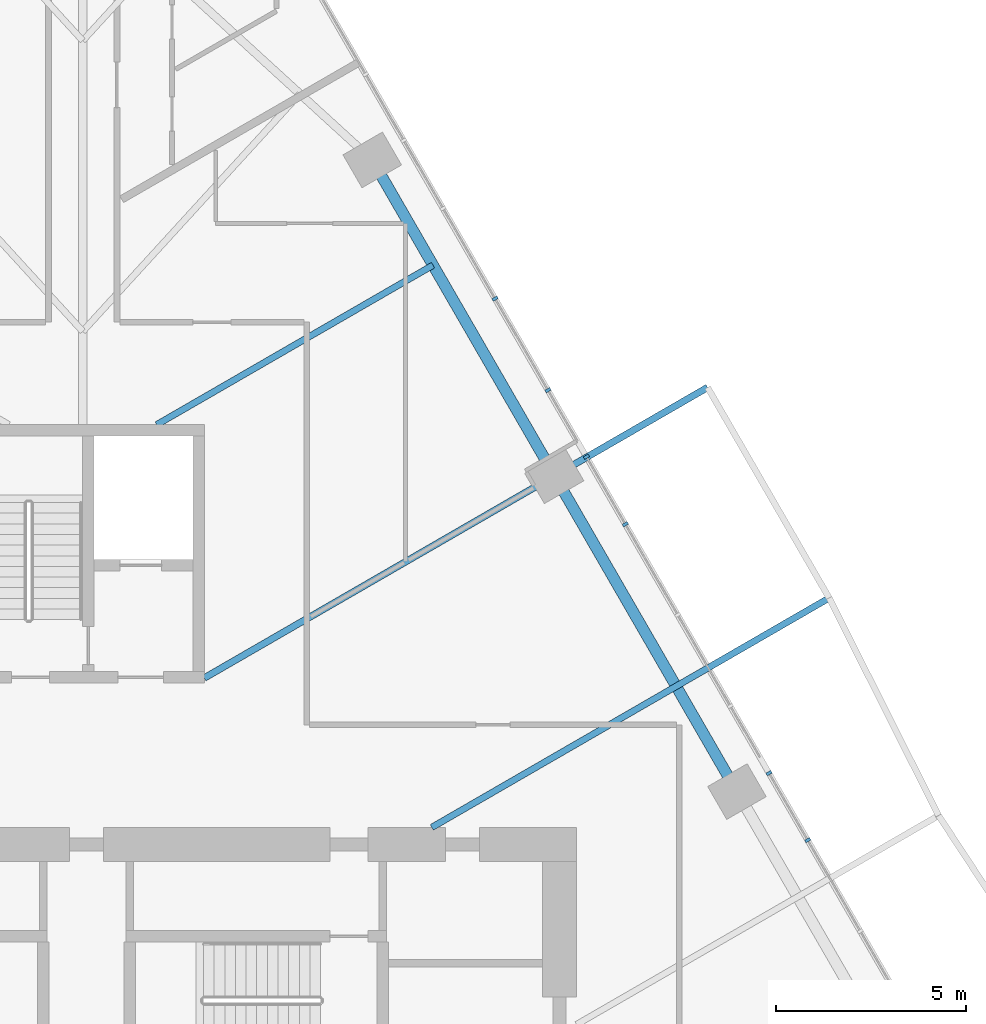
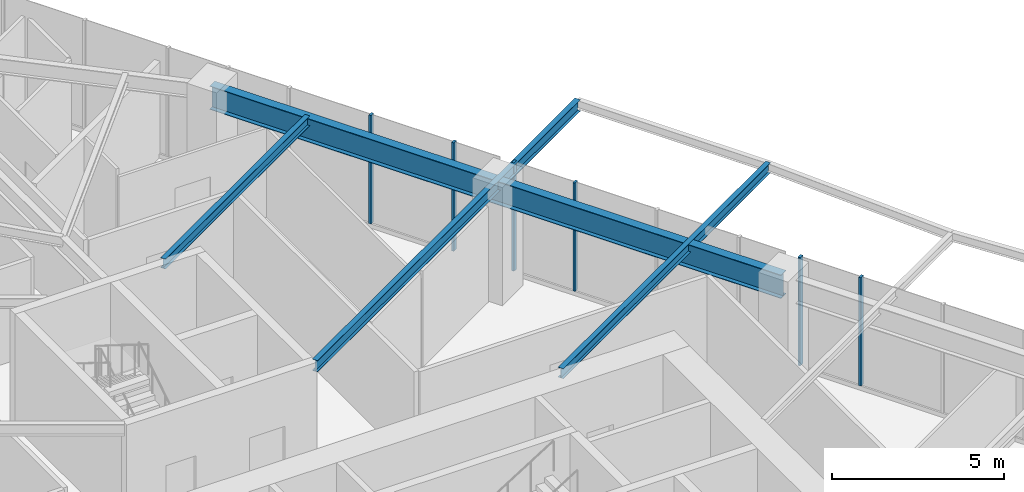
# One storey, part 11 of 29: 6 members, 4 beams, 1 element without a shape of its own.
"""IFC4 building model written with IfcOpenShell, lengths in metres."""

from ifc_helpers import new_model, si_unit, direction, frame, origin, origin_2d, place, context, subcontext, project, spatial, rectangle, i_section, extrude, material, layer, layer_set, material_profile, profile_set, type_object, element, aggregate, save


model = new_model("IFC4")

# Units and contexts
model_context = context("Model", 3, precision=1e-05, world=origin(), true_north=direction((0.0, 1.0)))
body_context = subcontext(model_context, "Body", "Model", "MODEL_VIEW")
ifc_project = project(units=[si_unit("LENGTHUNIT", "METRE"), si_unit("AREAUNIT", "SQUARE_METRE"), si_unit("VOLUMEUNIT", "CUBIC_METRE"), si_unit("PLANEANGLEUNIT", "RADIAN"), si_unit("MASSUNIT", "GRAM", prefix="KILO")], contexts=[model_context])

# Site, building, storey
site_placement = place(None, origin())
site = spatial("IfcSite", under=ifc_project, at=site_placement, CompositionType="ELEMENT")
building_placement = place(site_placement, origin())
building = spatial("IfcBuilding", under=site, at=building_placement, Name="Firuza Gate Tower and Library", CompositionType="ELEMENT")
storey_placement = place(building_placement, frame((0.0, 0.0, 44.199951171875)))
storey = spatial("IfcBuildingStorey", under=building, at=storey_placement, Name="L09", CompositionType="ELEMENT", Elevation=44.199951171875)

# Curtain wall, members
ifc_material_1 = material(Name="Aluminium 6063-T6", Category="aluminium")
ifc_layer = layer(ifc_material_1, 0.14990234375)
ifc_layer_set = layer_set([ifc_layer], Name="Unitised curtain wall, offices")
curtain_wall_type = type_object("IfcCurtainWallType", Name="Unitised curtain wall, offices", PredefinedType="NOTDEFINED", material=ifc_layer_set)
curtain_wall_placement = place(storey_placement, origin())
curtain_wall = element("IfcCurtainWall", 1, at=curtain_wall_placement, inside=storey, type_object=curtain_wall_type, Name="CW1 L09 E face", PredefinedType="NOTDEFINED")
ifc_material_2 = material(Name="Aluminium 6063-T6", Category="aluminium")
ifc_material_profile_1 = material_profile(ifc_material_2, rectangle(XDim=0.14990234375, YDim=0.080078125, at=origin_2d()))
ifc_profile_set_1 = profile_set([ifc_material_profile_1], Name="Aluminium 6063-T6")
member_type = type_object("IfcMemberType", Name="Curtain wall mullion 80x150", PredefinedType="MULLION", material=ifc_profile_set_1)
member_1_placement = place(storey_placement, frame((93.06494140625, 85.4296875, 0.150146484375), z_axis=(0.0, 0.0, 1.0), x_axis=(-0.866025403784, -0.5, 0.0)))
member_1 = element("IfcMember", 2, at=member_1_placement, type_object=member_type, Name="Mullion", PredefinedType="MULLION", context=body_context, shape_type="SweptSolid", body=[
    extrude(rectangle(XDim=0.14990234375, YDim=0.080078125, at=origin_2d()), origin(), (0.0, 0.0, 1.0), 3.849853515625),
])
member_2_placement = place(storey_placement, frame((88.2578125, 93.756103515625, 0.150146484375), z_axis=(0.0, 0.0, 1.0), x_axis=(-0.866025403784, -0.5, 0.0)))
member_2 = element("IfcMember", 3, at=member_2_placement, type_object=member_type, Name="Mullion", PredefinedType="MULLION", context=body_context, shape_type="SweptSolid", body=[
    extrude(rectangle(XDim=0.14990234375, YDim=0.080078125, at=origin_2d()), origin(), (0.0, 0.0, 1.0), 3.849853515625),
])
member_3_placement = place(storey_placement, frame((85.854248046875, 97.91943359375, 0.150146484375), z_axis=(0.0, 0.0, 1.0), x_axis=(-0.866025403784, -0.5, 0.0)))
member_3 = element("IfcMember", 4, at=member_3_placement, type_object=member_type, Name="Mullion", PredefinedType="MULLION", context=body_context, shape_type="SweptSolid", body=[
    extrude(rectangle(XDim=0.14990234375, YDim=0.080078125, at=origin_2d()), origin(), (0.0, 0.0, 1.0), 3.849853515625),
])
member_4_placement = place(storey_placement, frame((94.083740234375, 83.665283203125, 0.150146484375), z_axis=(0.0, 0.0, 1.0), x_axis=(-0.866025403784, -0.5, 0.0)))
member_4 = element("IfcMember", 5, at=member_4_placement, type_object=member_type, Name="Mullion", PredefinedType="MULLION", context=body_context, shape_type="SweptSolid", body=[
    extrude(rectangle(XDim=0.14990234375, YDim=0.080078125, at=origin_2d()), origin(), (0.0, 0.0, 1.0), 3.849853515625),
])
member_5_placement = place(storey_placement, frame((89.28369140625, 91.97900390625, 0.150146484375), z_axis=(0.0, 0.0, 1.0), x_axis=(-0.866025403784, -0.5, 0.0)))
member_5 = element("IfcMember", 6, at=member_5_placement, type_object=member_type, Name="Mullion", PredefinedType="MULLION", context=body_context, shape_type="SweptSolid", body=[
    extrude(rectangle(XDim=0.14990234375, YDim=0.080078125, at=origin_2d()), origin(), (0.0, 0.0, 1.0), 3.849853515625),
])
member_6_placement = place(storey_placement, frame((87.24609375, 95.50830078125, 0.150146484375), z_axis=(0.0, 0.0, 1.0), x_axis=(-0.866025403784, -0.5, 0.0)))
member_6 = element("IfcMember", 7, at=member_6_placement, type_object=member_type, Name="Mullion", PredefinedType="MULLION", context=body_context, shape_type="SweptSolid", body=[
    extrude(rectangle(XDim=0.14990234375, YDim=0.080078125, at=origin_2d()), origin(), (0.0, 0.0, 1.0), 3.849853515625),
])
aggregate(curtain_wall, [member_1, member_2, member_3, member_4, member_5, member_6])

# Beams
ifc_material_3 = material(Name="Steel S355", Category="steel")
ifc_material_profile_2 = material_profile(ifc_material_3, i_section(OverallWidth=0.1708984375, OverallDepth=0.35498046875, WebThickness=0.007080078125, FlangeThickness=0.01171875, at=origin_2d()))
ifc_profile_set_2 = profile_set([ifc_material_profile_2], Name="Steel S355")
beam_type_1 = type_object("IfcBeamType", Name="W360x51 Floor beam", PredefinedType="JOIST", material=ifc_profile_set_2)
beam_1_placement = place(storey_placement, frame((94.647705078125, 90.03857421875, 3.822509765625), z_axis=(-0.866027704869, -0.499996014384, 0.0), x_axis=(0.499996014384, -0.866027704869, 0.0)))
element("IfcBeam", 8, at=beam_1_placement, inside=storey, type_object=beam_type_1, Name="Floor beam L09 s53", PredefinedType="JOIST", context=body_context, shape_type="SweptSolid", body=[
    extrude(i_section(OverallWidth=0.1708984375, OverallDepth=0.35498046875, WebThickness=0.007080078125, FlangeThickness=0.01171875, at=origin_2d()), origin(), (0.0, 0.0, 1.0), 12.0771484375),
])
beam_2_placement = place(storey_placement, frame((84.220458984375, 98.798828125, 3.822509765625), z_axis=(-0.866019517829, -0.500010194636, 0.0), x_axis=(0.500010194636, -0.866019517829, 0.0)))
element("IfcBeam", 9, at=beam_2_placement, inside=storey, type_object=beam_type_1, Name="Floor beam L09 s55", PredefinedType="JOIST", context=body_context, shape_type="SweptSolid", body=[
    extrude(i_section(OverallWidth=0.1708984375, OverallDepth=0.35498046875, WebThickness=0.007080078125, FlangeThickness=0.01171875, at=origin_2d()), origin(), (0.0, 0.0, 1.0), 8.397216796875),
])
ifc_material_4 = material(Name="Steel S355", Category="steel")
ifc_material_profile_3 = material_profile(ifc_material_4, i_section(OverallWidth=0.177978515625, OverallDepth=0.406982421875, WebThickness=0.0078125, FlangeThickness=0.0126953125, at=origin_2d()))
ifc_profile_set_3 = profile_set([ifc_material_profile_3], Name="Steel S355")
beam_type_2 = type_object("IfcBeamType", Name="W410x60 Floor beam", PredefinedType="JOIST", material=ifc_profile_set_3)
beam_3_placement = place(storey_placement, frame((91.447509765625, 95.5810546875, 3.796630859375), z_axis=(-0.866026649868, -0.499997841714, 0.0), x_axis=(0.499997841714, -0.866026649868, 0.0)))
element("IfcBeam", 10, at=beam_3_placement, inside=storey, type_object=beam_type_2, Name="Floor beam L09 s54", PredefinedType="JOIST", context=body_context, shape_type="SweptSolid", body=[
    extrude(i_section(OverallWidth=0.177978515625, OverallDepth=0.406982421875, WebThickness=0.0078125, FlangeThickness=0.0126953125, at=origin_2d()), origin(), (0.0, 0.0, 1.0), 15.296875),
])
ifc_material_5 = material(Name="Steel S355", Category="steel")
ifc_material_profile_4 = material_profile(ifc_material_5, i_section(OverallWidth=0.2919921875, OverallDepth=0.8349609375, WebThickness=0.013916015625, FlangeThickness=0.018798828125, at=origin_2d()))
ifc_profile_set_4 = profile_set([ifc_material_profile_4], Name="Steel S355")
beam_type_3 = type_object("IfcBeamType", Name="W840x176 Edge beam", PredefinedType="SPANDREL", material=ifc_profile_set_4)
beam_4_placement = place(storey_placement, frame((92.220458984375, 84.9423828125, 3.58251953125), z_axis=(-0.499994327668, 0.866028678682, 0.0), x_axis=(-0.866028678682, -0.499994327668, 0.0)))
element("IfcBeam", 11, at=beam_4_placement, inside=storey, type_object=beam_type_3, Name="Edge beam L09 e52", PredefinedType="SPANDREL", context=body_context, shape_type="SweptSolid", body=[
    extrude(i_section(OverallWidth=0.2919921875, OverallDepth=0.8349609375, WebThickness=0.013916015625, FlangeThickness=0.018798828125, at=origin_2d()), origin(), (0.0, 0.0, 1.0), 19.199951171875),
])

save(model, "model.ifc")
